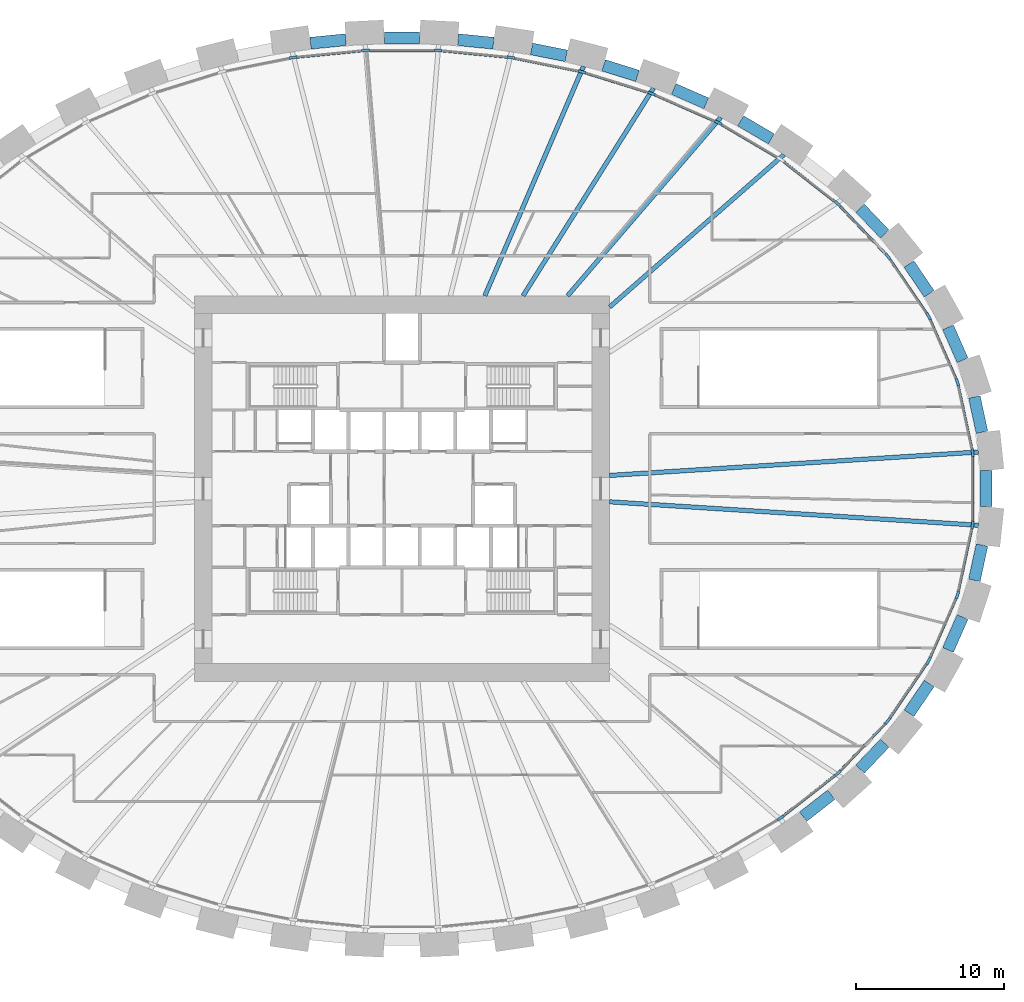
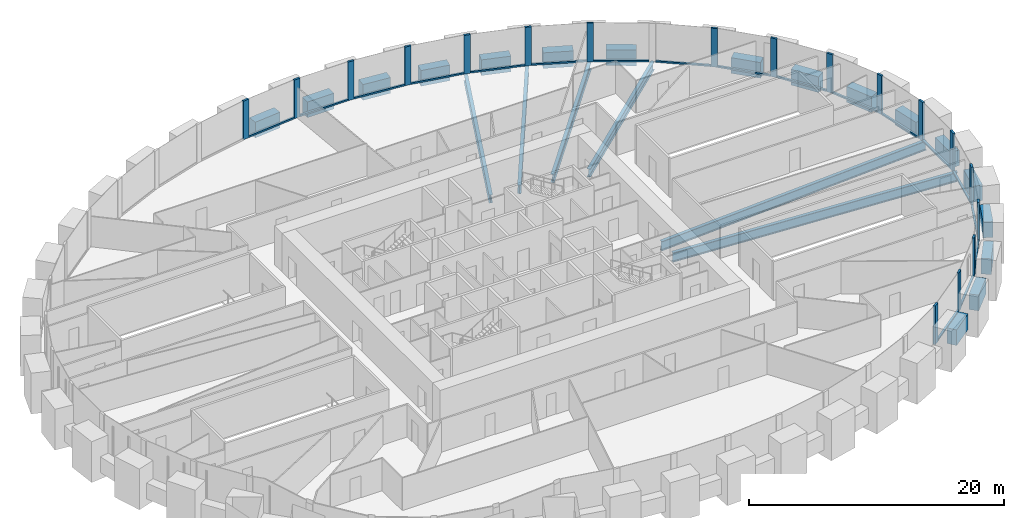
# One storey, part 3 of 12: 36 members, 23 beams, 1 element without a shape of its own.
"""IFC4 building model written with IfcOpenShell, lengths in metres."""

from ifc_helpers import new_model, si_unit, direction, frame, origin, origin_2d, place, context, subcontext, project, spatial, rectangle, i_section, extrude, source, transform, mapped, material, material_profile, profile_set, type_object, element, aggregate, save


model = new_model("IFC4")

# Units and contexts
model_context = context("Model", 3, precision=1e-05, world=origin(), true_north=direction((0.0, 1.0)))
body_context = subcontext(model_context, "Body", "Model", "MODEL_VIEW")
ifc_project = project(units=[si_unit("LENGTHUNIT", "METRE"), si_unit("AREAUNIT", "SQUARE_METRE"), si_unit("VOLUMEUNIT", "CUBIC_METRE"), si_unit("PLANEANGLEUNIT", "RADIAN"), si_unit("MASSUNIT", "GRAM", prefix="KILO")], contexts=[model_context])

# Site, building, storey
site_placement = place(None, origin())
site = spatial("IfcSite", under=ifc_project, at=site_placement, CompositionType="ELEMENT")
building_placement = place(site_placement, origin())
building = spatial("IfcBuilding", under=site, at=building_placement, Name="Embergate Tower", CompositionType="ELEMENT")
storey_placement = place(building_placement, frame((0.0, 0.0, 38.0)))
storey = spatial("IfcBuildingStorey", under=building, at=storey_placement, Name="L05", CompositionType="ELEMENT", Elevation=38.0)

# Beams
ifc_material_1 = material(Name="Concrete C70", Category="concrete")
ifc_material_profile_1 = material_profile(ifc_material_1, rectangle(XDim=0.800048828125, YDim=1.5, at=origin_2d()), Name="RC 800x1500")
ifc_profile_set_1 = profile_set([ifc_material_profile_1], Name="Concrete C70")
beam_type_1 = type_object("IfcBeamType", Name="Spandrel beam RC 800x1500 C70", PredefinedType="BEAM", material=ifc_profile_set_1)
shared_shape_1 = source(origin(), body_context, "Body", "SweptSolid", [
    extrude(rectangle(XDim=0.800048828125, YDim=1.5, at=origin_2d()), origin(), (0.0, 0.0, 1.0), 2.431396484375),
])
for number, where, z_axis, x_axis, name in (
    (1, (39.10302734375, 3.802001953125, 0.0), (-0.210557552213, 0.977581463207, 0.0), (-0.977581463207, -0.210557552213, 0.0), "SPN-L05-00"),
    (2, (38.591064453125, -6.178955078125, 0.0), (0.210557552213, 0.977581463207, 0.0), (-0.977581463207, 0.210557552213, 0.0), "SPN-L05-42"),
):
    element("IfcBeam", number, at=place(storey_placement, frame(where, z_axis=z_axis, x_axis=x_axis)), inside=storey, type_object=beam_type_1, Name=name, PredefinedType="BEAM", context=body_context, shape_type="MappedRepresentation", body=[
        mapped(shared_shape_1, transform((0.0, 0.0, 0.0))),
    ])
shared_shape_2 = source(origin(), body_context, "Body", "SweptSolid", [
    extrude(rectangle(XDim=0.800048828125, YDim=1.5, at=origin_2d()), origin(), (0.0, 0.0, 1.0), 2.42724609375),
])
for number, where, z_axis, x_axis, name in (
    (3, (37.791015625, 8.653076171875, 0.0), (-0.401710329843, 0.915766788488, 0.0), (-0.915766788488, -0.401710329843, 0.0), "SPN-L05-01"),
    (4, (36.81591796875, -10.8759765625, 0.0), (0.401710329843, 0.915766788488, 0.0), (-0.915766788488, 0.401710329843, 0.0), "SPN-L05-41"),
):
    element("IfcBeam", number, at=place(storey_placement, frame(where, z_axis=z_axis, x_axis=x_axis)), inside=storey, type_object=beam_type_1, Name=name, PredefinedType="BEAM", context=body_context, shape_type="MappedRepresentation", body=[
        mapped(shared_shape_2, transform((0.0, 0.0, 0.0))),
    ])
shared_shape_3 = source(origin(), body_context, "Body", "SweptSolid", [
    extrude(rectangle(XDim=0.800048828125, YDim=1.5, at=origin_2d()), origin(), (0.0, 0.0, 1.0), 2.418701171875),
])
for number, where, z_axis, x_axis, name in (
    (5, (35.5400390625, 13.14111328125, 0.0), (-0.562340391575, 0.82690584954, 0.0), (-0.82690584954, -0.562340391575, 0.0), "SPN-L05-02"),
    (6, (34.179931640625, -15.14111328125, 0.0), (0.562340391575, 0.82690584954, 0.0), (-0.82690584954, 0.562340391575, 0.0), "SPN-L05-40"),
):
    element("IfcBeam", number, at=place(storey_placement, frame(where, z_axis=z_axis, x_axis=x_axis)), inside=storey, type_object=beam_type_1, Name=name, PredefinedType="BEAM", context=body_context, shape_type="MappedRepresentation", body=[
        mapped(shared_shape_3, transform((0.0, 0.0, 0.0))),
    ])
shared_shape_4 = source(origin(), body_context, "Body", "SweptSolid", [
    extrude(rectangle(XDim=0.800048828125, YDim=1.5, at=origin_2d()), origin(), (0.0, 0.0, 1.0), 2.410400390625),
])
for number, where, z_axis, x_axis, name in (
    (7, (32.5458984375, 17.1630859375, 0.0), (-0.68988529803, 0.723918694027, 0.0), (-0.723918694027, -0.68988529803, 0.0), "SPN-L05-03"),
    (8, (30.883056640625, -18.907958984375, 0.0), (0.68988529803, 0.723918694027, 0.0), (-0.723918694027, 0.68988529803, 0.0), "SPN-L05-39"),
):
    element("IfcBeam", number, at=place(storey_placement, frame(where, z_axis=z_axis, x_axis=x_axis)), inside=storey, type_object=beam_type_1, Name=name, PredefinedType="BEAM", context=body_context, shape_type="MappedRepresentation", body=[
        mapped(shared_shape_4, transform((0.0, 0.0, 0.0))),
    ])
shared_shape_5 = source(origin(), body_context, "Body", "SweptSolid", [
    extrude(rectangle(XDim=0.800048828125, YDim=1.5, at=origin_2d()), origin(), (0.0, 0.0, 1.0), 2.40234375),
])
beam_1_placement = place(storey_placement, frame((27.048095703125, -22.115966796875, 0.0), z_axis=(0.788327805862, 0.615255451423, 0.0), x_axis=(-0.615255451423, 0.788327805862, 0.0)))
element("IfcBeam", 9, at=beam_1_placement, inside=storey, type_object=beam_type_1, Name="SPN-L05-38", PredefinedType="BEAM", context=body_context, shape_type="MappedRepresentation", body=[
    mapped(shared_shape_5, transform((0.0, 0.0, 0.0))),
])
shared_shape_6 = source(origin(), body_context, "Body", "SweptSolid", [
    extrude(rectangle(XDim=0.800048828125, YDim=1.5, at=origin_2d()), origin(), (0.0, 0.0, 1.0), 2.397705078125),
])
beam_2_placement = place(storey_placement, frame((24.89794921875, 23.577880859375, 0.0), z_axis=(-0.86206768602, 0.506793157728, 0.0), x_axis=(-0.506793157728, -0.86206768602, 0.0)))
element("IfcBeam", 10, at=beam_2_placement, inside=storey, type_object=beam_type_1, Name="SPN-L05-05", PredefinedType="BEAM", context=body_context, shape_type="MappedRepresentation", body=[
    mapped(shared_shape_6, transform((0.0, 0.0, 0.0))),
])
shared_shape_7 = source(origin(), body_context, "Body", "SweptSolid", [
    extrude(rectangle(XDim=0.800048828125, YDim=1.5, at=origin_2d()), origin(), (0.0, 0.0, 1.0), 2.394775390625),
])
beam_3_placement = place(storey_placement, frame((20.514892578125, 25.97509765625, 0.0), z_axis=(-0.916133934694, 0.40087231596, 0.0), x_axis=(-0.40087231596, -0.916133934694, 0.0)))
element("IfcBeam", 11, at=beam_3_placement, inside=storey, type_object=beam_type_1, Name="SPN-L05-06", PredefinedType="BEAM", context=body_context, shape_type="MappedRepresentation", body=[
    mapped(shared_shape_7, transform((0.0, 0.0, 0.0))),
])
shared_shape_8 = source(origin(), body_context, "Body", "SweptSolid", [
    extrude(rectangle(XDim=0.800048828125, YDim=1.5, at=origin_2d()), origin(), (0.0, 0.0, 1.0), 2.388916015625),
])
beam_4_placement = place(storey_placement, frame((15.8779296875, 27.824951171875, 0.0), z_axis=(-0.954819405725, 0.297186645815, 0.0), x_axis=(-0.297186645815, -0.954819405725, 0.0)))
element("IfcBeam", 12, at=beam_4_placement, inside=storey, type_object=beam_type_1, Name="SPN-L05-07", PredefinedType="BEAM", context=body_context, shape_type="MappedRepresentation", body=[
    mapped(shared_shape_8, transform((0.0, 0.0, 0.0))),
])
shared_shape_9 = source(origin(), body_context, "Body", "SweptSolid", [
    extrude(rectangle(XDim=0.800048828125, YDim=1.5, at=origin_2d()), origin(), (0.0, 0.0, 1.0), 2.38818359375),
])
beam_5_placement = place(storey_placement, frame((11.077880859375, 29.177978515625, 0.0), z_axis=(-0.980529530549, 0.196371687676, 0.0), x_axis=(-0.196371687676, -0.980529530549, 0.0)))
element("IfcBeam", 13, at=beam_5_placement, inside=storey, type_object=beam_type_1, Name="SPN-L05-08", PredefinedType="BEAM", context=body_context, shape_type="MappedRepresentation", body=[
    mapped(shared_shape_9, transform((0.0, 0.0, 0.0))),
])
shared_shape_10 = source(origin(), body_context, "Body", "SweptSolid", [
    extrude(rectangle(XDim=0.800048828125, YDim=1.5, at=origin_2d()), origin(), (0.0, 0.0, 1.0), 2.386474609375),
])
for number, where, z_axis, x_axis, name in (
    (14, (6.1650390625, 30.031005859375, 0.0), (-0.995225797629, 0.097599240434, 0.0), (-0.097599240434, -0.995225797629, 0.0), "SPN-L05-09"),
    (15, (-3.7900390625, 30.263916015625, 0.0), (-0.995225797629, -0.097599240434, 0.0), (0.097599240434, -0.995225797629, 0.0), "SPN-L05-11"),
):
    element("IfcBeam", number, at=place(storey_placement, frame(where, z_axis=z_axis, x_axis=x_axis)), inside=storey, type_object=beam_type_1, Name=name, PredefinedType="BEAM", context=body_context, shape_type="MappedRepresentation", body=[
        mapped(shared_shape_10, transform((0.0, 0.0, 0.0))),
    ])
shared_shape_11 = source(origin(), body_context, "Body", "SweptSolid", [
    extrude(rectangle(XDim=0.800048828125, YDim=1.5, at=origin_2d()), origin(), (0.0, 0.0, 1.0), 2.38623046875),
])
beam_6_placement = place(storey_placement, frame((1.193115234375, 30.39208984375, 0.0), z_axis=(-1.0, 0.0, 0.0), x_axis=(0.0, -1.0, 0.0)))
element("IfcBeam", 16, at=beam_6_placement, inside=storey, type_object=beam_type_1, Name="SPN-L05-10", PredefinedType="BEAM", context=body_context, shape_type="MappedRepresentation", body=[
    mapped(shared_shape_11, transform((0.0, 0.0, 0.0))),
])
shared_shape_12 = source(origin(), body_context, "Body", "SweptSolid", [
    extrude(rectangle(XDim=0.800048828125, YDim=1.5, at=origin_2d()), origin(), (0.0, 0.0, 1.0), 2.43408203125),
])
beam_7_placement = place(storey_placement, frame((39.3779296875, -1.217041015625, 0.0), z_axis=(0.0, 1.0, 0.0), x_axis=(-1.0, 0.0, 0.0)))
element("IfcBeam", 17, at=beam_7_placement, inside=storey, type_object=beam_type_1, Name="SPN-L05-43", PredefinedType="BEAM", context=body_context, shape_type="MappedRepresentation", body=[
    mapped(shared_shape_12, transform((0.0, 0.0, 0.0))),
])
ifc_material_2 = material(Name="Steel Q355B", Category="steel")
ifc_material_profile_2 = material_profile(ifc_material_2, i_section(OverallWidth=0.300048828125, OverallDepth=0.89990234375, WebThickness=0.01611328125, FlangeThickness=0.028076171875, FilletRadius=0.028076171875, at=origin_2d()), Name="HN 900x300x16x28")
ifc_profile_set_2 = profile_set([ifc_material_profile_2], Name="Steel Q355 grade B")
beam_type_2 = type_object("IfcBeamType", Name="Radial girder HN 900x300x16x28", PredefinedType="BEAM", material=ifc_profile_set_2)
shared_shape_13 = source(origin(), body_context, "Body", "SweptSolid", [
    extrude(i_section(OverallWidth=0.300048828125, OverallDepth=0.89990234375, WebThickness=0.01611328125, FlangeThickness=0.028076171875, FilletRadius=0.028076171875, at=origin_2d()), origin(), (0.0, 0.0, 1.0), 24.907958984375),
])
for number, where, z_axis, x_axis, name in (
    (18, (38.85791015625, 2.468994140625, -0.64990234375), (-0.997985884947, -0.063436373209, 0.0), (0.063436373209, -0.997985884947, 0.0), "GIR-L05-00"),
    (19, (38.85791015625, -2.468994140625, -0.64990234375), (-0.997985884947, 0.063436373209, 0.0), (-0.063436373209, -0.997985884947, 0.0), "GIR-L05-43"),
):
    element("IfcBeam", number, at=place(storey_placement, frame(where, z_axis=z_axis, x_axis=x_axis)), inside=storey, type_object=beam_type_2, Name=name, PredefinedType="BEAM", context=body_context, shape_type="MappedRepresentation", body=[
        mapped(shared_shape_13, transform((0.0, 0.0, 0.0))),
    ])
ifc_material_profile_3 = material_profile(ifc_material_2, i_section(OverallWidth=0.300048828125, OverallDepth=0.800048828125, WebThickness=0.013916015625, FlangeThickness=0.02587890625, FilletRadius=0.028076171875, at=origin_2d()), Name="HN 800x300x14x26")
ifc_profile_set_3 = profile_set([ifc_material_profile_3], Name="Steel Q355 grade B")
beam_type_3 = type_object("IfcBeamType", Name="Radial girder HN 800x300x14x26", PredefinedType="BEAM", material=ifc_profile_set_3)
shared_shape_14 = source(origin(), body_context, "Body", "SweptSolid", [
    extrude(i_section(OverallWidth=0.300048828125, OverallDepth=0.800048828125, WebThickness=0.013916015625, FlangeThickness=0.02587890625, FilletRadius=0.028076171875, at=origin_2d()), origin(), (0.0, 0.0, 1.0), 15.611083984375),
])
beam_8_placement = place(storey_placement, frame((25.751953125, 22.51904296875, -0.60009765625), z_axis=(-0.752793660755, -0.658256564211, 0.0), x_axis=(0.658256564211, -0.752793660755, 0.0)))
element("IfcBeam", 20, at=beam_8_placement, inside=storey, type_object=beam_type_3, Name="GIR-L05-05", PredefinedType="BEAM", context=body_context, shape_type="MappedRepresentation", body=[
    mapped(shared_shape_14, transform((0.0, 0.0, 0.0))),
])
shared_shape_15 = source(origin(), body_context, "Body", "SweptSolid", [
    extrude(i_section(OverallWidth=0.300048828125, OverallDepth=0.800048828125, WebThickness=0.013916015625, FlangeThickness=0.02587890625, FilletRadius=0.028076171875, at=origin_2d()), origin(), (0.0, 0.0, 1.0), 15.8505859375),
])
beam_9_placement = place(storey_placement, frame((21.490966796875, 25.02490234375, -0.60009765625), z_axis=(-0.651512825192, -0.758637620086, 0.0), x_axis=(0.758637620086, -0.651512825192, 0.0)))
element("IfcBeam", 21, at=beam_9_placement, inside=storey, type_object=beam_type_3, Name="GIR-L05-06", PredefinedType="BEAM", context=body_context, shape_type="MappedRepresentation", body=[
    mapped(shared_shape_15, transform((0.0, 0.0, 0.0))),
])
shared_shape_16 = source(origin(), body_context, "Body", "SweptSolid", [
    extrude(i_section(OverallWidth=0.300048828125, OverallDepth=0.800048828125, WebThickness=0.013916015625, FlangeThickness=0.02587890625, FilletRadius=0.028076171875, at=origin_2d()), origin(), (0.0, 0.0, 1.0), 16.5390625),
])
beam_10_placement = place(storey_placement, frame((16.9599609375, 27.006103515625, -0.60009765625), z_axis=(-0.53182746927, -0.846852728005, 0.0), x_axis=(0.846852728005, -0.53182746927, 0.0)))
element("IfcBeam", 22, at=beam_10_placement, inside=storey, type_object=beam_type_3, Name="GIR-L05-07", PredefinedType="BEAM", context=body_context, shape_type="MappedRepresentation", body=[
    mapped(shared_shape_16, transform((0.0, 0.0, 0.0))),
])
shared_shape_17 = source(origin(), body_context, "Body", "SweptSolid", [
    extrude(i_section(OverallWidth=0.300048828125, OverallDepth=0.800048828125, WebThickness=0.013916015625, FlangeThickness=0.02587890625, FilletRadius=0.028076171875, at=origin_2d()), origin(), (0.0, 0.0, 1.0), 16.845458984375),
])
beam_11_placement = place(storey_placement, frame((12.240966796875, 28.47607421875, -0.60009765625), z_axis=(-0.394945799239, -0.91870442236, 0.0), x_axis=(0.91870442236, -0.394945799239, 0.0)))
element("IfcBeam", 23, at=beam_11_placement, inside=storey, type_object=beam_type_3, Name="GIR-L05-08", PredefinedType="BEAM", context=body_context, shape_type="MappedRepresentation", body=[
    mapped(shared_shape_17, transform((0.0, 0.0, 0.0))),
])

# Curtain wall, members
ifc_material_3 = material(Name="Aluminium and glass", Category="aluminium")
curtain_wall_type = type_object("IfcCurtainWallType", Name="Recessed office glazing", PredefinedType="NOTDEFINED", material=ifc_material_3)
curtain_wall_placement = place(storey_placement, origin())
curtain_wall = element("IfcCurtainWall", 24, at=curtain_wall_placement, inside=storey, type_object=curtain_wall_type, Name="Recessed office glazing ring", ObjectType="RECESSED OFFICE GLAZING", PredefinedType="USERDEFINED")
ifc_material_4 = material(Name="Aluminium, thermally broken", Category="aluminium")
ifc_material_profile_4 = material_profile(ifc_material_4, rectangle(XDim=0.179931640625, YDim=0.52001953125, at=origin_2d()), Name="AL 520x180")
ifc_profile_set_4 = profile_set([ifc_material_profile_4], Name="Aluminium, thermally broken")
member_type_1 = type_object("IfcMemberType", Name="Office mullion", PredefinedType="MULLION", material=ifc_profile_set_4)
shared_shape_18 = source(origin(), body_context, "Body", "SweptSolid", [
    extrude(rectangle(XDim=0.179931640625, YDim=0.52001953125, at=origin_2d()), origin(), (0.0, 0.0, 1.0), 3.699951171875),
])
member_1_placement = place(storey_placement, frame((38.469970703125, 2.4267578125, 0.0), z_axis=(0.0, 0.0, 1.0), x_axis=(-0.994384954736, -0.105823257345, 0.0)))
member_1 = element("IfcMember", 25, at=member_1_placement, type_object=member_type_1, Name="CW mullion 1", PredefinedType="MULLION", context=body_context, shape_type="MappedRepresentation", body=[
    mapped(shared_shape_18, transform((0.0, 0.0, 0.0))),
])
member_2_placement = place(storey_placement, frame((37.4482421875, 7.17431640625, 0.0), z_axis=(0.0, 0.0, 1.0), x_axis=(-0.951498871907, -0.307652233471, 0.0)))
member_2 = element("IfcMember", 26, at=member_2_placement, type_object=member_type_1, Name="CW mullion 2", PredefinedType="MULLION", context=body_context, shape_type="MappedRepresentation", body=[
    mapped(shared_shape_18, transform((0.0, 0.0, 0.0))),
])
member_3_placement = place(storey_placement, frame((35.494873046875, 11.628173828125, 0.0), z_axis=(0.0, 0.0, 1.0), x_axis=(-0.875002740779, -0.484117964581, 0.0)))
member_3 = element("IfcMember", 27, at=member_3_placement, type_object=member_type_1, Name="CW mullion 3", PredefinedType="MULLION", context=body_context, shape_type="MappedRepresentation", body=[
    mapped(shared_shape_18, transform((0.0, 0.0, 0.0))),
])
member_4_placement = place(storey_placement, frame((32.7548828125, 15.656982421875, 0.0), z_axis=(0.0, 0.0, 1.0), x_axis=(-0.777873661157, -0.62842069291, 0.0)))
member_4 = element("IfcMember", 28, at=member_4_placement, type_object=member_type_1, Name="CW mullion 4", PredefinedType="MULLION", context=body_context, shape_type="MappedRepresentation", body=[
    mapped(shared_shape_18, transform((0.0, 0.0, 0.0))),
])
member_5_placement = place(storey_placement, frame((29.386474609375, 19.189208984375, 0.0), z_axis=(0.0, 0.0, 1.0), x_axis=(-0.671226533956, -0.741252278319, 0.0)))
member_5 = element("IfcMember", 29, at=member_5_placement, type_object=member_type_1, Name="CW mullion 5", PredefinedType="MULLION", context=body_context, shape_type="MappedRepresentation", body=[
    mapped(shared_shape_18, transform((0.0, 0.0, 0.0))),
])
member_6_placement = place(storey_placement, frame((21.3134765625, 24.677490234375, 0.0), z_axis=(0.0, 0.0, 1.0), x_axis=(-0.454509825889, -0.890741723605, 0.0)))
member_6 = element("IfcMember", 30, at=member_6_placement, type_object=member_type_1, Name="CW mullion 7", PredefinedType="MULLION", context=body_context, shape_type="MappedRepresentation", body=[
    mapped(shared_shape_18, transform((0.0, 0.0, 0.0))),
])
member_7_placement = place(storey_placement, frame((16.824951171875, 26.64013671875, 0.0), z_axis=(0.0, 0.0, 1.0), x_axis=(-0.349501047589, -0.936935973124, 0.0)))
member_7 = element("IfcMember", 31, at=member_7_placement, type_object=member_type_1, Name="CW mullion 8", PredefinedType="MULLION", context=body_context, shape_type="MappedRepresentation", body=[
    mapped(shared_shape_18, transform((0.0, 0.0, 0.0))),
])
member_8_placement = place(storey_placement, frame((12.144287109375, 28.097900390625, 0.0), z_axis=(0.0, 0.0, 1.0), x_axis=(-0.247310190257, -0.968936360034, 0.0)))
member_8 = element("IfcMember", 32, at=member_8_placement, type_object=member_type_1, Name="CW mullion 9", PredefinedType="MULLION", context=body_context, shape_type="MappedRepresentation", body=[
    mapped(shared_shape_18, transform((0.0, 0.0, 0.0))),
])
member_9_placement = place(storey_placement, frame((7.33544921875, 29.062255859375, 0.0), z_axis=(0.0, 0.0, 1.0), x_axis=(-0.147410656556, -0.989075375456, 0.0)))
member_9 = element("IfcMember", 33, at=member_9_placement, type_object=member_type_1, Name="CW mullion 10", PredefinedType="MULLION", context=body_context, shape_type="MappedRepresentation", body=[
    mapped(shared_shape_18, transform((0.0, 0.0, 0.0))),
])
member_10_placement = place(storey_placement, frame((2.453125, 29.5419921875, 0.0), z_axis=(0.0, 0.0, 1.0), x_axis=(-0.048971796621, -0.998800161762, 0.0)))
member_10 = element("IfcMember", 34, at=member_10_placement, type_object=member_type_1, Name="CW mullion 11", PredefinedType="MULLION", context=body_context, shape_type="MappedRepresentation", body=[
    mapped(shared_shape_18, transform((0.0, 0.0, 0.0))),
])
member_11_placement = place(storey_placement, frame((-2.453125, 29.5419921875, 0.0), z_axis=(0.0, 0.0, 1.0), x_axis=(0.048971796621, -0.998800161762, 0.0)))
member_11 = element("IfcMember", 35, at=member_11_placement, type_object=member_type_1, Name="CW mullion 12", PredefinedType="MULLION", context=body_context, shape_type="MappedRepresentation", body=[
    mapped(shared_shape_18, transform((0.0, 0.0, 0.0))),
])
member_12_placement = place(storey_placement, frame((-7.33544921875, 29.062255859375, 0.0), z_axis=(0.0, 0.0, 1.0), x_axis=(0.147410656556, -0.989075375456, 0.0)))
member_12 = element("IfcMember", 36, at=member_12_placement, type_object=member_type_1, Name="CW mullion 13", PredefinedType="MULLION", context=body_context, shape_type="MappedRepresentation", body=[
    mapped(shared_shape_18, transform((0.0, 0.0, 0.0))),
])
member_13_placement = place(storey_placement, frame((25.53271484375, -22.19677734375, 0.0), z_axis=(0.0, 0.0, 1.0), x_axis=(-0.562216175174, 0.826990309721, 0.0)))
member_13 = element("IfcMember", 37, at=member_13_placement, type_object=member_type_1, Name="CW mullion 39", PredefinedType="MULLION", context=body_context, shape_type="MappedRepresentation", body=[
    mapped(shared_shape_18, transform((0.0, 0.0, 0.0))),
])
member_14_placement = place(storey_placement, frame((29.386474609375, -19.189208984375, 0.0), z_axis=(0.0, 0.0, 1.0), x_axis=(-0.671226533956, 0.741252278319, 0.0)))
member_14 = element("IfcMember", 38, at=member_14_placement, type_object=member_type_1, Name="CW mullion 40", PredefinedType="MULLION", context=body_context, shape_type="MappedRepresentation", body=[
    mapped(shared_shape_18, transform((0.0, 0.0, 0.0))),
])
member_15_placement = place(storey_placement, frame((32.7548828125, -15.656982421875, 0.0), z_axis=(0.0, 0.0, 1.0), x_axis=(-0.777873661157, 0.62842069291, 0.0)))
member_15 = element("IfcMember", 39, at=member_15_placement, type_object=member_type_1, Name="CW mullion 41", PredefinedType="MULLION", context=body_context, shape_type="MappedRepresentation", body=[
    mapped(shared_shape_18, transform((0.0, 0.0, 0.0))),
])
member_16_placement = place(storey_placement, frame((35.494873046875, -11.628173828125, 0.0), z_axis=(0.0, 0.0, 1.0), x_axis=(-0.875002740779, 0.484117964581, 0.0)))
member_16 = element("IfcMember", 40, at=member_16_placement, type_object=member_type_1, Name="CW mullion 42", PredefinedType="MULLION", context=body_context, shape_type="MappedRepresentation", body=[
    mapped(shared_shape_18, transform((0.0, 0.0, 0.0))),
])
member_17_placement = place(storey_placement, frame((37.4482421875, -7.17431640625, 0.0), z_axis=(0.0, 0.0, 1.0), x_axis=(-0.951498871907, 0.307652233471, 0.0)))
member_17 = element("IfcMember", 41, at=member_17_placement, type_object=member_type_1, Name="CW mullion 43", PredefinedType="MULLION", context=body_context, shape_type="MappedRepresentation", body=[
    mapped(shared_shape_18, transform((0.0, 0.0, 0.0))),
])
member_18_placement = place(storey_placement, frame((38.469970703125, -2.4267578125, 0.0), z_axis=(0.0, 0.0, 1.0), x_axis=(-0.994384954736, 0.105823257345, 0.0)))
member_18 = element("IfcMember", 42, at=member_18_placement, type_object=member_type_1, Name="CW mullion 44", PredefinedType="MULLION", context=body_context, shape_type="MappedRepresentation", body=[
    mapped(shared_shape_18, transform((0.0, 0.0, 0.0))),
])
ifc_material_profile_5 = material_profile(ifc_material_4, rectangle(XDim=0.179931640625, YDim=0.14990234375, at=origin_2d()), Name="AL 150x180")
ifc_profile_set_5 = profile_set([ifc_material_profile_5], Name="Aluminium, thermally broken")
member_type_2 = type_object("IfcMemberType", Name="Office sill transom", PredefinedType="USERDEFINED", material=ifc_profile_set_5)
shared_shape_19 = source(origin(), body_context, "Body", "SweptSolid", [
    extrude(rectangle(XDim=0.179931640625, YDim=0.14990234375, at=origin_2d()), origin(), (0.0, 0.0, 1.0), 4.33642578125),
])
member_19_placement = place(storey_placement, frame((38.415283203125, 2.680908203125, 0.074951171875), z_axis=(-0.210397968538, 0.977615821699, 0.0), x_axis=(-0.977615821699, -0.210397968538, 0.0)))
member_19 = element("IfcMember", 43, at=member_19_placement, type_object=member_type_2, Name="CW transom 1.1", ObjectType="TRANSOM", PredefinedType="USERDEFINED", context=body_context, shape_type="MappedRepresentation", body=[
    mapped(shared_shape_19, transform((0.0, 0.0, 0.0))),
])
member_20_placement = place(storey_placement, frame((37.5029296875, -6.920166015625, 0.074951171875), z_axis=(0.210397968538, 0.977615821699, 0.0), x_axis=(-0.977615821699, 0.210397968538, 0.0)))
member_20 = element("IfcMember", 44, at=member_20_placement, type_object=member_type_2, Name="CW transom 43.1", ObjectType="TRANSOM", PredefinedType="USERDEFINED", context=body_context, shape_type="MappedRepresentation", body=[
    mapped(shared_shape_19, transform((0.0, 0.0, 0.0))),
])
shared_shape_20 = source(origin(), body_context, "Body", "SweptSolid", [
    extrude(rectangle(XDim=0.179931640625, YDim=0.14990234375, at=origin_2d()), origin(), (0.0, 0.0, 1.0), 4.34326171875),
])
member_21_placement = place(storey_placement, frame((37.34375, 7.412353515625, 0.074951171875), z_axis=(-0.401632547459, 0.915800904576, 0.0), x_axis=(-0.915800904576, -0.401632547459, 0.0)))
member_21 = element("IfcMember", 45, at=member_21_placement, type_object=member_type_2, Name="CW transom 2.1", ObjectType="TRANSOM", PredefinedType="USERDEFINED", context=body_context, shape_type="MappedRepresentation", body=[
    mapped(shared_shape_20, transform((0.0, 0.0, 0.0))),
])
member_22_placement = place(storey_placement, frame((35.599365234375, -11.389892578125, 0.074951171875), z_axis=(0.401632547459, 0.915800904576, 0.0), x_axis=(-0.915800904576, 0.401632547459, 0.0)))
member_22 = element("IfcMember", 46, at=member_22_placement, type_object=member_type_2, Name="CW transom 42.1", ObjectType="TRANSOM", PredefinedType="USERDEFINED", context=body_context, shape_type="MappedRepresentation", body=[
    mapped(shared_shape_20, transform((0.0, 0.0, 0.0))),
])
shared_shape_21 = source(origin(), body_context, "Body", "SweptSolid", [
    extrude(rectangle(XDim=0.179931640625, YDim=0.14990234375, at=origin_2d()), origin(), (0.0, 0.0, 1.0), 4.352294921875),
])
member_23_placement = place(storey_placement, frame((35.3486328125, 11.843017578125, 0.074951171875), z_axis=(-0.562352981855, 0.826897287333, 0.0), x_axis=(-0.826897287333, -0.562352981855, 0.0)))
member_23 = element("IfcMember", 47, at=member_23_placement, type_object=member_type_2, Name="CW transom 3.1", ObjectType="TRANSOM", PredefinedType="USERDEFINED", context=body_context, shape_type="MappedRepresentation", body=[
    mapped(shared_shape_21, transform((0.0, 0.0, 0.0))),
])
member_24_placement = place(storey_placement, frame((32.901123046875, -15.44189453125, 0.074951171875), z_axis=(0.562352981855, 0.826897287333, 0.0), x_axis=(-0.826897287333, 0.562352981855, 0.0)))
member_24 = element("IfcMember", 48, at=member_24_placement, type_object=member_type_2, Name="CW transom 41.1", ObjectType="TRANSOM", PredefinedType="USERDEFINED", context=body_context, shape_type="MappedRepresentation", body=[
    mapped(shared_shape_21, transform((0.0, 0.0, 0.0))),
])
shared_shape_22 = source(origin(), body_context, "Body", "SweptSolid", [
    extrude(rectangle(XDim=0.179931640625, YDim=0.14990234375, at=origin_2d()), origin(), (0.0, 0.0, 1.0), 4.361083984375),
])
member_25_placement = place(storey_placement, frame((32.57568359375, 15.844970703125, 0.074951171875), z_axis=(-0.690141477818, 0.723674471427, 0.0), x_axis=(-0.723674471427, -0.690141477818, 0.0)))
member_25 = element("IfcMember", 49, at=member_25_placement, type_object=member_type_2, Name="CW transom 4.1", ObjectType="TRANSOM", PredefinedType="USERDEFINED", context=body_context, shape_type="MappedRepresentation", body=[
    mapped(shared_shape_22, transform((0.0, 0.0, 0.0))),
])
member_26_placement = place(storey_placement, frame((29.56591796875, -19.0009765625, 0.074951171875), z_axis=(0.690141477818, 0.723674471427, 0.0), x_axis=(-0.723674471427, 0.690141477818, 0.0)))
member_26 = element("IfcMember", 50, at=member_26_placement, type_object=member_type_2, Name="CW transom 40.1", ObjectType="TRANSOM", PredefinedType="USERDEFINED", context=body_context, shape_type="MappedRepresentation", body=[
    mapped(shared_shape_22, transform((0.0, 0.0, 0.0))),
])
shared_shape_23 = source(origin(), body_context, "Body", "SweptSolid", [
    extrude(rectangle(XDim=0.179931640625, YDim=0.14990234375, at=origin_2d()), origin(), (0.0, 0.0, 1.0), 4.368408203125),
])
member_27_placement = place(storey_placement, frame((29.181396484375, 19.34912109375, 0.074951171875), z_axis=(-0.788309833008, 0.615278479375, 0.0), x_axis=(-0.615278479375, -0.788309833008, 0.0)))
member_27 = element("IfcMember", 51, at=member_27_placement, type_object=member_type_2, Name="CW transom 5.1", ObjectType="TRANSOM", PredefinedType="USERDEFINED", context=body_context, shape_type="MappedRepresentation", body=[
    mapped(shared_shape_23, transform((0.0, 0.0, 0.0))),
])
member_28_placement = place(storey_placement, frame((25.73779296875, -22.036865234375, 0.074951171875), z_axis=(0.788309833008, 0.615278479375, 0.0), x_axis=(-0.615278479375, 0.788309833008, 0.0)))
member_28 = element("IfcMember", 52, at=member_28_placement, type_object=member_type_2, Name="CW transom 39.1", ObjectType="TRANSOM", PredefinedType="USERDEFINED", context=body_context, shape_type="MappedRepresentation", body=[
    mapped(shared_shape_23, transform((0.0, 0.0, 0.0))),
])
shared_shape_24 = source(origin(), body_context, "Body", "SweptSolid", [
    extrude(rectangle(XDim=0.179931640625, YDim=0.14990234375, at=origin_2d()), origin(), (0.0, 0.0, 1.0), 4.37451171875),
])
member_29_placement = place(storey_placement, frame((25.30859375, 22.32861328125, 0.074951171875), z_axis=(-0.862053273507, 0.506817672971, 0.0), x_axis=(-0.506817672971, -0.862053273507, 0.0)))
member_29 = element("IfcMember", 53, at=member_29_placement, type_object=member_type_2, Name="CW transom 6.1", ObjectType="TRANSOM", PredefinedType="USERDEFINED", context=body_context, shape_type="MappedRepresentation", body=[
    mapped(shared_shape_24, transform((0.0, 0.0, 0.0))),
])
shared_shape_25 = source(origin(), body_context, "Body", "SweptSolid", [
    extrude(rectangle(XDim=0.179931640625, YDim=0.14990234375, at=origin_2d()), origin(), (0.0, 0.0, 1.0), 4.37890625),
])
member_30_placement = place(storey_placement, frame((21.0751953125, 24.781494140625, 0.074951171875), z_axis=(-0.916236650028, 0.400637493434, 0.0), x_axis=(-0.400637493434, -0.916236650028, 0.0)))
member_30 = element("IfcMember", 54, at=member_30_placement, type_object=member_type_2, Name="CW transom 7.1", ObjectType="TRANSOM", PredefinedType="USERDEFINED", context=body_context, shape_type="MappedRepresentation", body=[
    mapped(shared_shape_25, transform((0.0, 0.0, 0.0))),
])
shared_shape_26 = source(origin(), body_context, "Body", "SweptSolid", [
    extrude(rectangle(XDim=0.179931640625, YDim=0.14990234375, at=origin_2d()), origin(), (0.0, 0.0, 1.0), 4.38232421875),
])
member_31_placement = place(storey_placement, frame((16.57666015625, 26.71728515625, 0.074951171875), z_axis=(-0.954759100468, 0.297380328994, 0.0), x_axis=(-0.297380328994, -0.954759100468, 0.0)))
member_31 = element("IfcMember", 55, at=member_31_placement, type_object=member_type_2, Name="CW transom 8.1", ObjectType="TRANSOM", PredefinedType="USERDEFINED", context=body_context, shape_type="MappedRepresentation", body=[
    mapped(shared_shape_26, transform((0.0, 0.0, 0.0))),
])
shared_shape_27 = source(origin(), body_context, "Body", "SweptSolid", [
    extrude(rectangle(XDim=0.179931640625, YDim=0.14990234375, at=origin_2d()), origin(), (0.0, 0.0, 1.0), 4.384765625),
])
member_32_placement = place(storey_placement, frame((11.889404296875, 28.14892578125, 0.074951171875), z_axis=(-0.980482039913, 0.196608670733, 0.0), x_axis=(-0.196608670733, -0.980482039913, 0.0)))
member_32 = element("IfcMember", 56, at=member_32_placement, type_object=member_type_2, Name="CW transom 9.1", ObjectType="TRANSOM", PredefinedType="USERDEFINED", context=body_context, shape_type="MappedRepresentation", body=[
    mapped(shared_shape_27, transform((0.0, 0.0, 0.0))),
])
shared_shape_28 = source(origin(), body_context, "Body", "SweptSolid", [
    extrude(rectangle(XDim=0.179931640625, YDim=0.14990234375, at=origin_2d()), origin(), (0.0, 0.0, 1.0), 4.3857421875),
])
member_33_placement = place(storey_placement, frame((7.07666015625, 29.087646484375, 0.074951171875), z_axis=(-0.995205497416, 0.097806021868, 0.0), x_axis=(-0.097806021868, -0.995205497416, 0.0)))
member_33 = element("IfcMember", 57, at=member_33_placement, type_object=member_type_2, Name="CW transom 10.1", ObjectType="TRANSOM", PredefinedType="USERDEFINED", context=body_context, shape_type="MappedRepresentation", body=[
    mapped(shared_shape_28, transform((0.0, 0.0, 0.0))),
])
member_34_placement = place(storey_placement, frame((-2.7119140625, 29.5166015625, 0.074951171875), z_axis=(-0.995205497416, -0.097806021868, 0.0), x_axis=(0.097806021868, -0.995205497416, 0.0)))
member_34 = element("IfcMember", 58, at=member_34_placement, type_object=member_type_2, Name="CW transom 12.1", ObjectType="TRANSOM", PredefinedType="USERDEFINED", context=body_context, shape_type="MappedRepresentation", body=[
    mapped(shared_shape_28, transform((0.0, 0.0, 0.0))),
])
shared_shape_29 = source(origin(), body_context, "Body", "SweptSolid", [
    extrude(rectangle(XDim=0.179931640625, YDim=0.14990234375, at=origin_2d()), origin(), (0.0, 0.0, 1.0), 4.38623046875),
])
member_35_placement = place(storey_placement, frame((2.193115234375, 29.5419921875, 0.074951171875), z_axis=(-1.0, 0.0, 0.0), x_axis=(0.0, -1.0, 0.0)))
member_35 = element("IfcMember", 59, at=member_35_placement, type_object=member_type_2, Name="CW transom 11.1", ObjectType="TRANSOM", PredefinedType="USERDEFINED", context=body_context, shape_type="MappedRepresentation", body=[
    mapped(shared_shape_29, transform((0.0, 0.0, 0.0))),
])
shared_shape_30 = source(origin(), body_context, "Body", "SweptSolid", [
    extrude(rectangle(XDim=0.179931640625, YDim=0.14990234375, at=origin_2d()), origin(), (0.0, 0.0, 1.0), 4.33349609375),
])
member_36_placement = place(storey_placement, frame((38.469970703125, -2.166748046875, 0.074951171875), z_axis=(0.0, 1.0, 0.0), x_axis=(-1.0, 0.0, 0.0)))
member_36 = element("IfcMember", 60, at=member_36_placement, type_object=member_type_2, Name="CW transom 44.1", ObjectType="TRANSOM", PredefinedType="USERDEFINED", context=body_context, shape_type="MappedRepresentation", body=[
    mapped(shared_shape_30, transform((0.0, 0.0, 0.0))),
])
aggregate(curtain_wall, [member_1, member_2, member_3, member_4, member_5, member_6, member_7, member_8, member_9, member_10, member_11, member_12, member_13, member_14, member_15, member_16, member_17, member_18, member_19, member_21, member_23, member_25, member_27, member_29, member_30, member_31, member_32, member_33, member_35, member_34, member_28, member_26, member_24, member_22, member_20, member_36])

save(model, "model.ifc")
